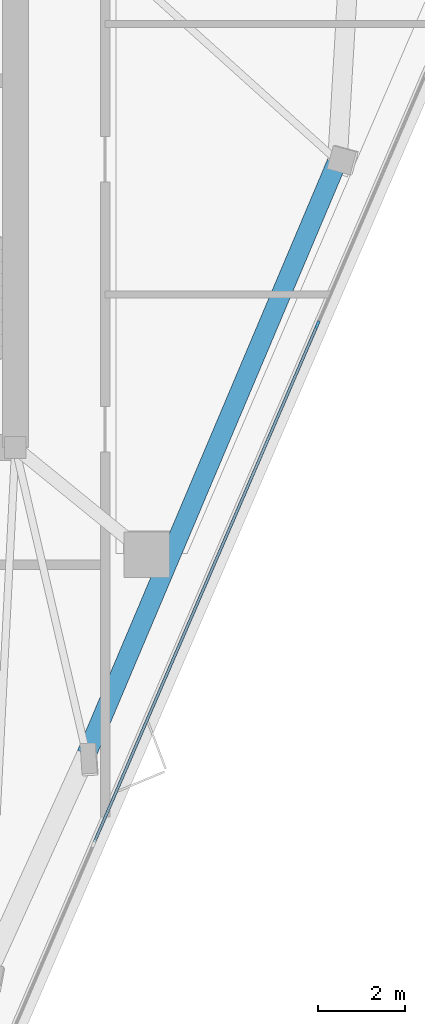
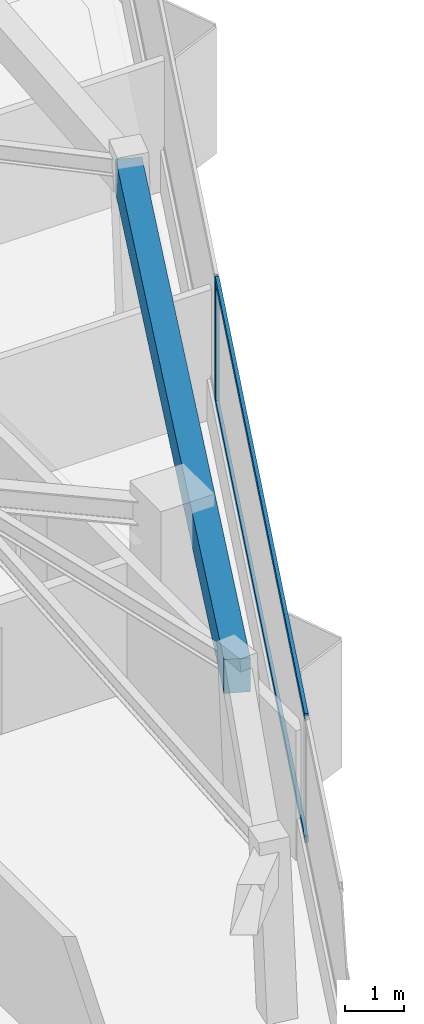
# One storey, part 3 of 9: 3 members, 1 beam, 1 element without a shape of its own.
"""IFC4 building model written with IfcOpenShell, lengths in metres."""

from ifc_helpers import new_model, si_unit, direction, frame, origin, origin_2d, place, context, subcontext, project, spatial, rectangle, extrude, material, layer, layer_set, material_profile, profile_set, type_object, element, aggregate, save


model = new_model("IFC4")

# Units and contexts
model_context = context("Model", 3, precision=1e-05, world=origin(), true_north=direction((0.0, 1.0)))
body_context = subcontext(model_context, "Body", "Model", "MODEL_VIEW")
ifc_project = project(units=[si_unit("LENGTHUNIT", "METRE"), si_unit("AREAUNIT", "SQUARE_METRE"), si_unit("VOLUMEUNIT", "CUBIC_METRE"), si_unit("PLANEANGLEUNIT", "RADIAN"), si_unit("MASSUNIT", "GRAM", prefix="KILO")], contexts=[model_context])

# Site, building, storey
site_placement = place(None, origin())
site = spatial("IfcSite", under=ifc_project, at=site_placement, CompositionType="ELEMENT")
building_placement = place(site_placement, origin())
building = spatial("IfcBuilding", under=site, at=building_placement, Name="Talyreon Biosciences Tower", CompositionType="ELEMENT")
storey_placement = place(building_placement, frame((0.0, 0.0, 302.050048828125)))
storey = spatial("IfcBuildingStorey", under=building, at=storey_placement, Name="L80", CompositionType="ELEMENT", Elevation=302.050048828125)

# Curtain wall, members
ifc_material_1 = material(Name="Thermally broken aluminium and low-E glazing", Category="aluminium")
ifc_layer = layer(ifc_material_1, 0.175048828125)
ifc_layer_set = layer_set([ifc_layer], Name="Thermally broken aluminium and low-E glazing")
curtain_wall_type = type_object("IfcCurtainWallType", Name="CurtainWall_Zone5CompLab", PredefinedType="NOTDEFINED", material=ifc_layer_set)
curtain_wall_placement = place(storey_placement, origin())
curtain_wall = element("IfcCurtainWall", 1, at=curtain_wall_placement, inside=storey, type_object=curtain_wall_type, Name="L80 Unitised Curtain Wall FCW-L80-08", PredefinedType="NOTDEFINED")
ifc_material_2 = material(Name="Anodised thermally broken aluminium", Category="aluminium")
ifc_material_profile_1 = material_profile(ifc_material_2, rectangle(XDim=0.06494140625, YDim=0.179931640625, at=origin_2d()), Name="ALUM MULLION 65x180")
ifc_profile_set_1 = profile_set([ifc_material_profile_1], Name="Anodised thermally broken aluminium")
member_type_1 = type_object("IfcMemberType", Name="CWMullion_65x180", PredefinedType="MULLION", material=ifc_profile_set_1)
member_1_placement = place(storey_placement, frame((81.02001953125, 64.185302734375, 0.81005859375), z_axis=(0.0, 0.0, 1.0), x_axis=(0.918363311246, -0.395738333444, 0.0)))
member_1 = element("IfcMember", 2, at=member_1_placement, type_object=member_type_1, Name="CW6 mullion 2", PredefinedType="MULLION", context=body_context, shape_type="SweptSolid", body=[
    extrude(rectangle(XDim=0.06494140625, YDim=0.179931640625, at=origin_2d()), origin(), (0.0, 0.0, 1.0), 2.58984375),
])
ifc_material_profile_2 = material_profile(ifc_material_2, rectangle(XDim=0.06494140625, YDim=0.139892578125, at=origin_2d()), Name="ALUM TRANSOM 65x140")
ifc_profile_set_2 = profile_set([ifc_material_profile_2], Name="Anodised thermally broken aluminium")
member_type_2 = type_object("IfcMemberType", Name="CWTransom_65x140", PredefinedType="USERDEFINED", material=ifc_profile_set_2)
member_2_placement = place(storey_placement, frame((81.007080078125, 64.1552734375, 0.842529296875), z_axis=(-0.395742593834, -0.91836147536, 0.0), x_axis=(0.91836147536, -0.395742593834, 0.0)))
member_2 = element("IfcMember", 3, at=member_2_placement, type_object=member_type_2, Name="CW6 transom 2.1", ObjectType="TRANSOM", PredefinedType="USERDEFINED", context=body_context, shape_type="SweptSolid", body=[
    extrude(rectangle(XDim=0.06494140625, YDim=0.139892578125, at=origin_2d()), origin(), (0.0, 0.0, 1.0), 12.97119140625),
])
member_3_placement = place(storey_placement, frame((81.007080078125, 64.1552734375, 3.367431640625), z_axis=(-0.395742593834, -0.91836147536, 0.0), x_axis=(0.91836147536, -0.395742593834, 0.0)))
member_3 = element("IfcMember", 4, at=member_3_placement, type_object=member_type_2, Name="CW6 transom 2.2", ObjectType="TRANSOM", PredefinedType="USERDEFINED", context=body_context, shape_type="SweptSolid", body=[
    extrude(rectangle(XDim=0.06494140625, YDim=0.139892578125, at=origin_2d()), origin(), (0.0, 0.0, 1.0), 12.97119140625),
])
aggregate(curtain_wall, [member_1, member_2, member_3])

# Beam
ifc_material_3 = material(Name="Precast concrete C45/55", Category="concrete")
ifc_material_profile_3 = material_profile(ifc_material_3, rectangle(XDim=0.449951171875, YDim=0.699951171875, at=origin_2d()), Name="RCB 450x700")
ifc_profile_set_3 = profile_set([ifc_material_profile_3], Name="Precast concrete C45/55")
beam_type = type_object("IfcBeamType", Name="ExpressedSpandrel_450x700", PredefinedType="SPANDREL", material=ifc_profile_set_3)
beam_placement = place(storey_placement, frame((75.6923828125, 54.273193359375, 3.050048828125), z_axis=(0.38955102775, 0.921004884232, 0.0), x_axis=(-0.921004884232, 0.38955102775, 0.0)))
element("IfcBeam", 5, at=beam_placement, inside=storey, type_object=beam_type, Name="L80 Expressed Horizontal Concrete Spandrel 03", PredefinedType="SPANDREL", context=body_context, shape_type="SweptSolid", body=[
    extrude(rectangle(XDim=0.449951171875, YDim=0.699951171875, at=origin_2d()), origin(), (0.0, 0.0, 1.0), 14.861572265625),
])

save(model, "model.ifc")
